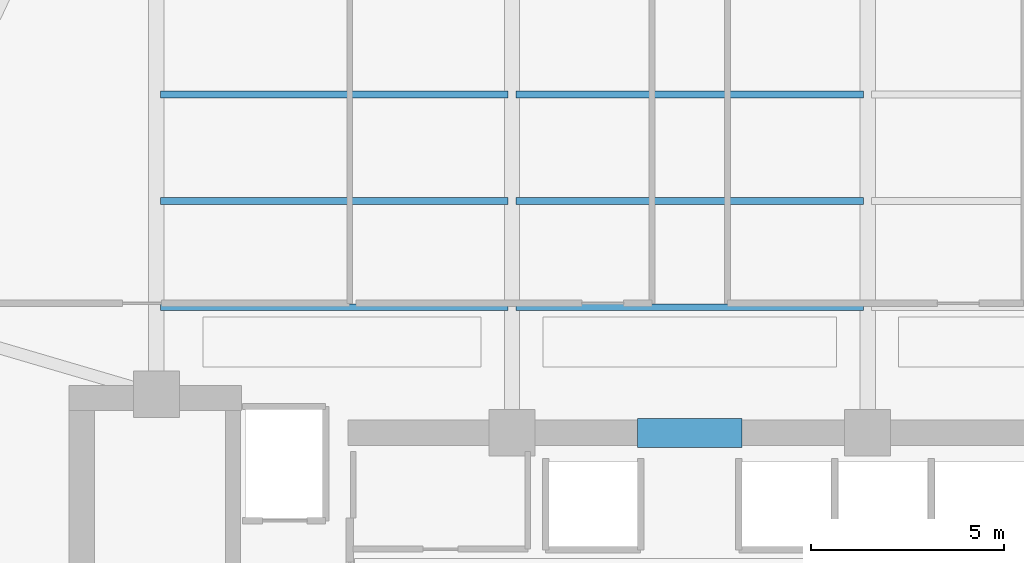
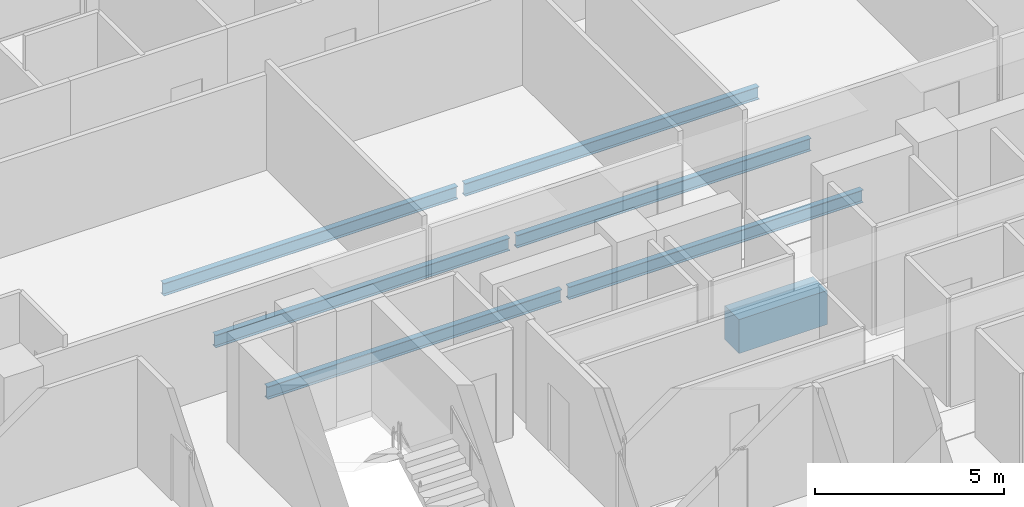
# One storey, part 8 of 33: 7 beams.
"""IFC4 building model written with IfcOpenShell, lengths in metres."""

import ifcopenshell
import ifcopenshell.guid

model = None  # the IFC model being written
_history = None  # IfcOwnerHistory: only IFC2X3 demands one
_inside = {}  # id of a spatial element -> (the spatial element, [elements in it])
_under = {}  # id of a project, library or spatial element -> (it, [spatial elements below it])
_declared = {}  # id of a project -> (the project, [libraries it declares])
_typed = {}  # id of a type object -> (the type object, [elements of that type])
_made_of = {}  # id of a material, layer set ... -> (it, [elements and type objects made of it])


def new_model(schema):
    """Start an empty IFC model of exactly this schema.

    Asked for "IFC4X3", IfcOpenShell would pick the latest addendum, in which some entities
    have other attributes; the version numbers below select the first issue.
    IFC2X3 requires an IfcOwnerHistory on every rooted entity: one is made here for all.
    """
    global model, _history
    if schema == "IFC4X3":
        model = ifcopenshell.file(schema_version=(4, 3, 0, 0))
    else:
        model = ifcopenshell.file(schema=schema)
    _inside.clear()
    _under.clear()
    _declared.clear()
    _typed.clear()
    _made_of.clear()
    _history = None
    if model.schema == "IFC2X3":
        org = make("IfcOrganization", Name="unknown")
        user = make(
            "IfcPersonAndOrganization",
            ThePerson=make("IfcPerson", FamilyName="unknown"),
            TheOrganization=org,
        )
        app = make(
            "IfcApplication",
            ApplicationDeveloper=org,
            Version="unknown",
            ApplicationFullName="unknown",
            ApplicationIdentifier="unknown",
        )
        _history = make(
            "IfcOwnerHistory",
            OwningUser=user,
            OwningApplication=app,
            ChangeAction="ADDED",
            CreationDate=0,
        )
    return model


def make(cls, **values):
    """One entity of the class cls with the attributes given. An attribute that is None is left unset."""
    return model.create_entity(
        cls, **{name: value for name, value in values.items() if value is not None}
    )


def rooted(cls, **values):
    """An entity with a GlobalId (a new one), such as an element, a storey or a relation."""
    return make(cls, GlobalId=ifcopenshell.guid.new(), OwnerHistory=_history, **values)


def si_unit(unit_type, name, prefix=None):
    """IfcSIUnit, for example si_unit("LENGTHUNIT", "METRE", prefix="MILLI")."""
    return make("IfcSIUnit", UnitType=unit_type, Prefix=prefix, Name=name)


def assignment(units):
    """IfcUnitAssignment: the units of a project."""
    return None if units is None else make("IfcUnitAssignment", Units=units)


def point(xyz):
    """IfcCartesianPoint."""
    return None if xyz is None else make("IfcCartesianPoint", Coordinates=xyz)


def direction(xyz):
    """IfcDirection."""
    return None if xyz is None else make("IfcDirection", DirectionRatios=xyz)


def frame(location, z_axis=None, x_axis=None):
    """IfcAxis2Placement3D, a coordinate frame: its origin and axes. An axis left out is left unset."""
    return make(
        "IfcAxis2Placement3D",
        Location=point(location),
        Axis=direction(z_axis),
        RefDirection=direction(x_axis),
    )


def frame_2d(location, x_axis=None):
    """IfcAxis2Placement2D, a coordinate frame in the plane: its origin and x axis."""
    return make(
        "IfcAxis2Placement2D", Location=point(location), RefDirection=direction(x_axis)
    )


def origin():
    """The frame at (0, 0, 0) with its axes left unset."""
    return frame((0.0, 0.0, 0.0))


def origin_2d():
    """The frame at (0, 0) in the plane with its x axis left unset."""
    return frame_2d((0.0, 0.0))


def place(relative_to, where):
    """IfcLocalPlacement: puts the frame where relative to a parent placement (None: the world)."""
    return make(
        "IfcLocalPlacement", PlacementRelTo=relative_to, RelativePlacement=where
    )


def context(
    kind, dimensions, precision=None, world=None, true_north=None, identifier=None
):
    """IfcGeometricRepresentationContext, for example the 3D "Model" context."""
    return make(
        "IfcGeometricRepresentationContext",
        ContextIdentifier=identifier,
        ContextType=kind,
        CoordinateSpaceDimension=dimensions,
        Precision=precision,
        WorldCoordinateSystem=world,
        TrueNorth=true_north,
    )


def subcontext(parent, identifier, kind, view, scale=None):
    """IfcGeometricRepresentationSubContext, for example "Body" below "Model"."""
    return make(
        "IfcGeometricRepresentationSubContext",
        ContextIdentifier=identifier,
        ContextType=kind,
        ParentContext=parent,
        TargetScale=scale,
        TargetView=view,
    )


def project(units=None, contexts=None):
    """IfcProject with its units and contexts."""
    return rooted(
        "IfcProject",
        Name="project",
        RepresentationContexts=contexts,
        UnitsInContext=assignment(units),
    )


def spatial(cls, under=None, at=None, **own):
    """A site, building, storey or space (cls), placed at a placement, below another one or the project."""
    s = rooted(cls, ObjectPlacement=at, **own)
    if under is not None:
        _under.setdefault(under.id(), (under, []))[1].append(s)
    return s


def profile(cls, at=None, kind="AREA", **sizes):
    """A parametric profile (cls). Its sizes go by their IFC names, for example OverallWidth=200.0."""
    return make(cls, ProfileType=kind, Position=at, **sizes)


def rectangle(**sizes):
    """IfcRectangleProfileDef."""
    return profile("IfcRectangleProfileDef", **sizes)


def i_section(**sizes):
    """IfcIShapeProfileDef."""
    return profile("IfcIShapeProfileDef", **sizes)


def extrude(swept, where, along, depth):
    """IfcExtrudedAreaSolid: the profile swept, set in the frame where, extruded along a direction by depth."""
    return make(
        "IfcExtrudedAreaSolid",
        SweptArea=swept,
        Position=where,
        ExtrudedDirection=direction(along),
        Depth=depth,
    )


def shape(context_of_items, identifier, shape_type, items):
    """IfcShapeRepresentation: the items that make up one representation, for example the "Body"."""
    return make(
        "IfcShapeRepresentation",
        ContextOfItems=context_of_items,
        RepresentationIdentifier=identifier,
        RepresentationType=shape_type,
        Items=items,
    )


def material(Name=None, Category=None):
    """IfcMaterial."""
    return make("IfcMaterial", Name=Name, Category=Category)


def material_profile(
    of_material, cross_section, Name=None, Category=None, Priority=None
):
    """IfcMaterialProfile: a cross section and its material."""
    return make(
        "IfcMaterialProfile",
        Name=Name,
        Material=of_material,
        Profile=cross_section,
        Priority=Priority,
        Category=Category,
    )


def profile_set(profiles, Name=None, composite=None):
    """IfcMaterialProfileSet."""
    return make(
        "IfcMaterialProfileSet",
        Name=Name,
        MaterialProfiles=profiles,
        CompositeProfile=composite,
    )


def made_of(thing, what):
    """Note that an element or type object is made of a material, layer set ...; save() writes the relation."""
    if what is not None:
        _made_of.setdefault(what.id(), (what, []))[1].append(thing)
    return thing


def type_object(cls, material=None, **own):
    """A type object (cls), such as IfcWallType, which elements share."""
    return made_of(rooted(cls, **own), material)


def element(
    cls,
    number,
    at=None,
    inside=None,
    cuts=None,
    type_object=None,
    material=None,
    context=None,
    identifier="Body",
    shape_type=None,
    held_by="IfcProductDefinitionShape",
    body=None,
    shapes=None,
    **own,
):
    """One element of the class cls, such as IfcWall. Its Tag is "e" and its number.

    at: its placement. inside: the storey or other place that contains it. cuts: it is an
    opening in that element (IfcRelVoidsElement). A single representation is given by context,
    identifier, shape_type and body (its items); several are given by shapes. held_by: the class
    of the entity that holds the representations. save() writes the other relations.
    """
    e = rooted(cls, Tag="e%d" % number, ObjectPlacement=at, **own)
    if body is not None:
        shapes = [shape(context, identifier, shape_type, body)]
    if shapes is not None:
        e.Representation = make(held_by, Representations=shapes)
    if inside is not None:
        _inside.setdefault(inside.id(), (inside, []))[1].append(e)
    if cuts is not None:
        rooted(
            "IfcRelVoidsElement", RelatingBuildingElement=cuts, RelatedOpeningElement=e
        )
    if type_object is not None:
        _typed.setdefault(type_object.id(), (type_object, []))[1].append(e)
    return made_of(e, material)


def aggregate(whole, parts):
    """IfcRelAggregates: a whole, such as a stair, and the parts it consists of."""
    return rooted("IfcRelAggregates", RelatingObject=whole, RelatedObjects=parts)


def save(model, path):
    """Write the relations noted so far, then the file.

    IfcRelAggregates (storeys below a building ...), IfcRelContainedInSpatialStructure (elements
    in a storey), IfcRelDefinesByType, IfcRelAssociatesMaterial and IfcRelDeclares: one each for
    every whole, place, type object, material and project.
    """
    for whole, parts in _under.values():
        aggregate(whole, parts)
    for where, things in _inside.values():
        rooted(
            "IfcRelContainedInSpatialStructure",
            RelatedElements=things,
            RelatingStructure=where,
        )
    for kind, things in _typed.values():
        rooted("IfcRelDefinesByType", RelatedObjects=things, RelatingType=kind)
    for what, things in _made_of.values():
        rooted("IfcRelAssociatesMaterial", RelatedObjects=things, RelatingMaterial=what)
    for by, libraries in _declared.values():
        rooted("IfcRelDeclares", RelatingContext=by, RelatedDefinitions=libraries)
    model.write(path)


model = new_model("IFC4")

# Units and contexts
model_context = context("Model", 3, precision=1e-05, world=origin(), true_north=direction((0.0, 1.0)))
body_context = subcontext(model_context, "Body", "Model", "MODEL_VIEW")
ifc_project = project(units=[si_unit("LENGTHUNIT", "METRE"), si_unit("AREAUNIT", "SQUARE_METRE"), si_unit("VOLUMEUNIT", "CUBIC_METRE"), si_unit("PLANEANGLEUNIT", "RADIAN"), si_unit("MASSUNIT", "GRAM", prefix="KILO")], contexts=[model_context])

# Site, building, storey
site_placement = place(None, origin())
site = spatial("IfcSite", under=ifc_project, at=site_placement, CompositionType="ELEMENT")
building_placement = place(site_placement, origin())
building = spatial("IfcBuilding", under=site, at=building_placement, Name="Zuhayl Quay Hotel", CompositionType="ELEMENT")
storey_placement = place(building_placement, frame((0.0, 0.0, 229.89990234375)))
storey = spatial("IfcBuildingStorey", under=building, at=storey_placement, Name="L58", CompositionType="ELEMENT", Elevation=229.89990234375)

# Beams
ifc_material_1 = material(Name="Concrete C60/75", Category="concrete")
ifc_material_profile_1 = material_profile(ifc_material_1, rectangle(XDim=0.75, YDim=1.10009765625, at=origin_2d()), Name="RC750X1100")
ifc_profile_set_1 = profile_set([ifc_material_profile_1], Name="Concrete C60/75")
beam_type_1 = type_object("IfcBeamType", Name="BM_CB2_RC750", PredefinedType="T_BEAM", material=ifc_profile_set_1)
beam_1_placement = place(storey_placement, frame((-1.35009765625, 13.35009765625, -0.77001953125), z_axis=(1.0, 0.0, 0.0), x_axis=(0.0, 1.0, 0.0)))
element("IfcBeam", 1, at=beam_1_placement, inside=storey, type_object=beam_type_1, Name="L58 Core Coupling Beam North", PredefinedType="T_BEAM", context=body_context, shape_type="SweptSolid", body=[
    extrude(rectangle(XDim=0.75, YDim=1.10009765625, at=origin_2d()), origin(), (0.0, 0.0, 1.0), 2.7001953125),
])
ifc_material_2 = material(Name="Steel ASTM A992 Grade 50", Category="steel")
ifc_material_profile_2 = material_profile(ifc_material_2, i_section(OverallWidth=0.177978515625, OverallDepth=0.406005859375, WebThickness=0.0078125, FlangeThickness=0.0126953125, at=origin_2d()), Name="W16X40")
ifc_profile_set_2 = profile_set([ifc_material_profile_2], Name="Steel ASTM A992 Grade 50")
beam_type_2 = type_object("IfcBeamType", Name="BM_J2B_W16X40", PredefinedType="JOIST", material=ifc_profile_set_2)
beam_2_placement = place(storey_placement, frame((-13.694091796875, 16.60009765625, -0.4228515625), z_axis=(1.0, 0.0, 0.0), x_axis=(0.0, 1.0, 0.0)))
element("IfcBeam", 2, at=beam_2_placement, inside=storey, type_object=beam_type_2, Name="L58 Floor Beam FJ_L58_1_1", PredefinedType="JOIST", context=body_context, shape_type="SweptSolid", body=[
    extrude(i_section(OverallWidth=0.177978515625, OverallDepth=0.406005859375, WebThickness=0.0078125, FlangeThickness=0.0126953125, at=origin_2d()), origin(), (0.0, 0.0, 1.0), 8.988037109375),
])
beam_3_placement = place(storey_placement, frame((-4.493896484375, 16.60009765625, -0.4228515625), z_axis=(1.0, 0.0, 0.0), x_axis=(0.0, 1.0, 0.0)))
element("IfcBeam", 3, at=beam_3_placement, inside=storey, type_object=beam_type_2, Name="L58 Floor Beam FJ_L58_1_2", PredefinedType="JOIST", context=body_context, shape_type="SweptSolid", body=[
    extrude(i_section(OverallWidth=0.177978515625, OverallDepth=0.406005859375, WebThickness=0.0078125, FlangeThickness=0.0126953125, at=origin_2d()), origin(), (0.0, 0.0, 1.0), 8.98779296875),
])
beam_4_placement = place(storey_placement, frame((-13.694091796875, 19.35009765625, -0.4228515625), z_axis=(1.0, 0.0, 0.0), x_axis=(0.0, 1.0, 0.0)))
element("IfcBeam", 4, at=beam_4_placement, inside=storey, type_object=beam_type_2, Name="L58 Floor Beam FJ_L58_2_1", PredefinedType="JOIST", context=body_context, shape_type="SweptSolid", body=[
    extrude(i_section(OverallWidth=0.177978515625, OverallDepth=0.406005859375, WebThickness=0.0078125, FlangeThickness=0.0126953125, at=origin_2d()), origin(), (0.0, 0.0, 1.0), 8.988037109375),
])
beam_5_placement = place(storey_placement, frame((-4.493896484375, 19.35009765625, -0.4228515625), z_axis=(1.0, 0.0, 0.0), x_axis=(0.0, 1.0, 0.0)))
element("IfcBeam", 5, at=beam_5_placement, inside=storey, type_object=beam_type_2, Name="L58 Floor Beam FJ_L58_2_2", PredefinedType="JOIST", context=body_context, shape_type="SweptSolid", body=[
    extrude(i_section(OverallWidth=0.177978515625, OverallDepth=0.406005859375, WebThickness=0.0078125, FlangeThickness=0.0126953125, at=origin_2d()), origin(), (0.0, 0.0, 1.0), 8.98779296875),
])
beam_6_placement = place(storey_placement, frame((-13.694091796875, 22.10009765625, -0.4228515625), z_axis=(1.0, 0.0, 0.0), x_axis=(0.0, 1.0, 0.0)))
element("IfcBeam", 6, at=beam_6_placement, inside=storey, type_object=beam_type_2, Name="L58 Floor Beam FJ_L58_3_1", PredefinedType="JOIST", context=body_context, shape_type="SweptSolid", body=[
    extrude(i_section(OverallWidth=0.177978515625, OverallDepth=0.406005859375, WebThickness=0.0078125, FlangeThickness=0.0126953125, at=origin_2d()), origin(), (0.0, 0.0, 1.0), 8.988037109375),
])
beam_7_placement = place(storey_placement, frame((-4.493896484375, 22.10009765625, -0.4228515625), z_axis=(1.0, 0.0, 0.0), x_axis=(0.0, 1.0, 0.0)))
element("IfcBeam", 7, at=beam_7_placement, inside=storey, type_object=beam_type_2, Name="L58 Floor Beam FJ_L58_3_2", PredefinedType="JOIST", context=body_context, shape_type="SweptSolid", body=[
    extrude(i_section(OverallWidth=0.177978515625, OverallDepth=0.406005859375, WebThickness=0.0078125, FlangeThickness=0.0126953125, at=origin_2d()), origin(), (0.0, 0.0, 1.0), 8.98779296875),
])

save(model, "model.ifc")
